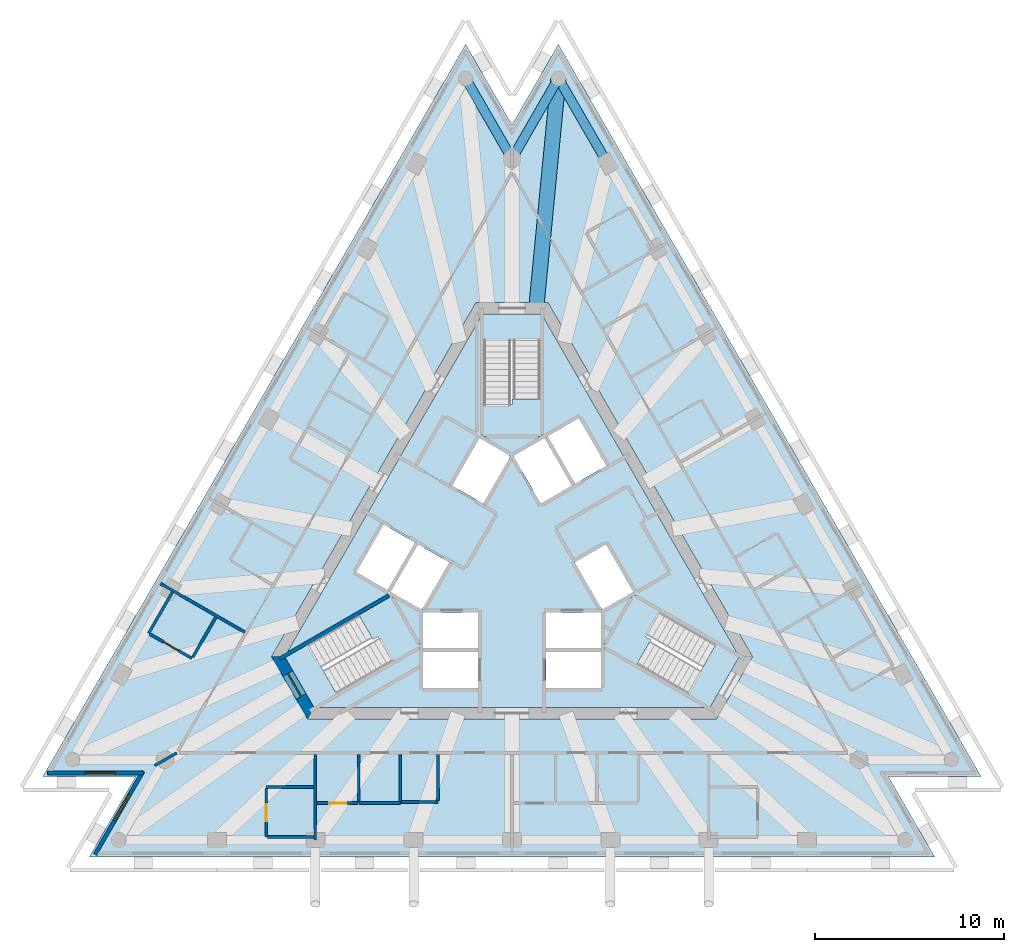
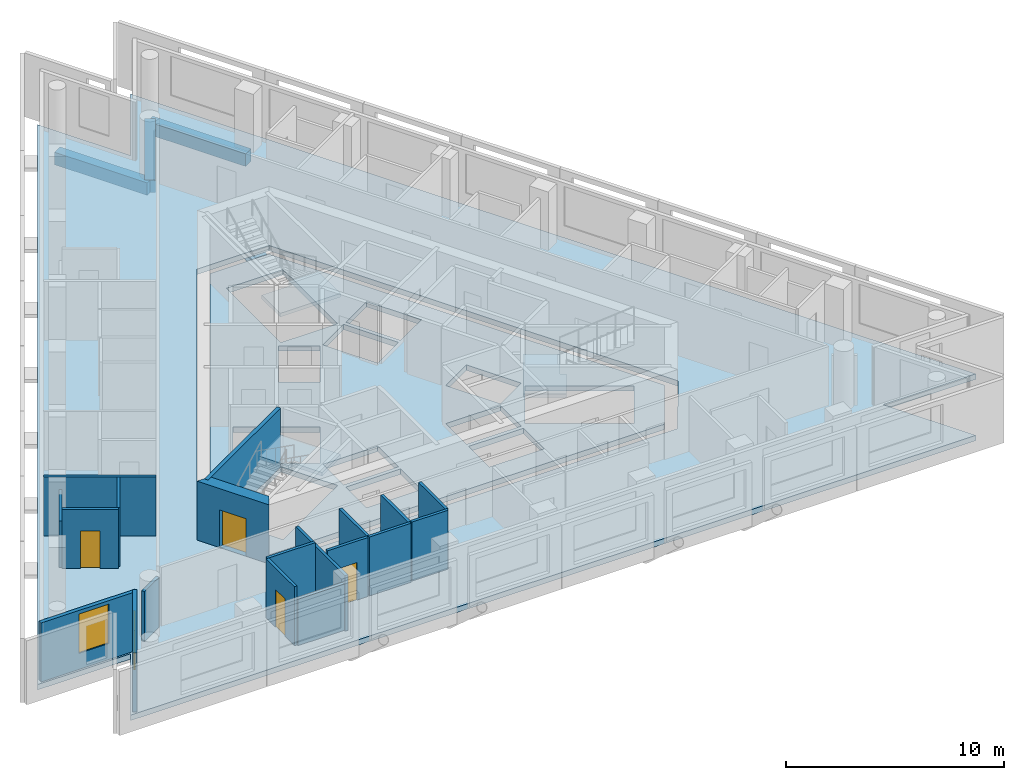
# One storey, part 2 of 10: 19 walls, 5 slabs, 4 beams, 4 doors, 2 windows, 6 openings, 3 elements without a shape of their own.
"""IFC4 building model written with IfcOpenShell, lengths in metres."""

from ifc_helpers import new_model, si_unit, direction, frame, frame_2d, origin, origin_2d, place, context, subcontext, project, spatial, polyline, rectangle, outline, extrude, material, layer, layer_set, layer_usage, material_profile, profile_set, type_object, element, fill, aggregate, save


model = new_model("IFC4")

# Units and contexts
model_context = context("Model", 3, precision=1e-05, world=origin(), true_north=direction((0.0, 1.0)))
body_context = subcontext(model_context, "Body", "Model", "MODEL_VIEW")
ifc_project = project(units=[si_unit("LENGTHUNIT", "METRE"), si_unit("AREAUNIT", "SQUARE_METRE"), si_unit("VOLUMEUNIT", "CUBIC_METRE"), si_unit("PLANEANGLEUNIT", "RADIAN"), si_unit("MASSUNIT", "GRAM", prefix="KILO")], contexts=[model_context])

# Site, building, storey
site_placement = place(None, origin())
site = spatial("IfcSite", under=ifc_project, at=site_placement, CompositionType="ELEMENT")
building_placement = place(site_placement, origin())
building = spatial("IfcBuilding", under=site, at=building_placement, Name="Triada Interchange Tower", CompositionType="ELEMENT")
storey_placement = place(building_placement, frame((0.0, 0.0, 318.699951171875)))
storey = spatial("IfcBuildingStorey", under=building, at=storey_placement, Name="L76", CompositionType="ELEMENT", Elevation=318.699951171875)

# Beams
ifc_material_1 = material(Name="Concrete C50/60", Category="concrete")
ifc_material_profile_1 = material_profile(ifc_material_1, rectangle(XDim=0.800048828125, YDim=0.5, at=origin_2d()), Name="RC 800x500")
ifc_profile_set_1 = profile_set([ifc_material_profile_1], Name="Concrete C50/60")
beam_type_1 = type_object("IfcBeamType", Name="Radial band beam D RC 800x500", PredefinedType="BEAM", material=ifc_profile_set_1)
beam_1_placement = place(storey_placement, frame((2.45703125, 25.469970703125, -0.550048828125), z_axis=(-0.09602744551, -0.995378686586, 0.0), x_axis=(0.995378686586, -0.09602744551, 0.0)))
element("IfcBeam", 1, at=beam_1_placement, inside=storey, type_object=beam_type_1, Name="Radial band beam BD29 L76", PredefinedType="BEAM", context=body_context, shape_type="SweptSolid", body=[
    extrude(rectangle(XDim=0.800048828125, YDim=0.5, at=origin_2d()), origin(), (0.0, 0.0, 1.0), 12.226318359375),
])
ifc_material_profile_2 = material_profile(ifc_material_1, rectangle(XDim=0.5, YDim=0.699951171875, at=origin_2d()), Name="RC 500x700")
ifc_profile_set_2 = profile_set([ifc_material_profile_2], Name="Concrete C50/60")
beam_type_2 = type_object("IfcBeamType", Name="Spandrel beam D RC 500x700", PredefinedType="BEAM", material=ifc_profile_set_2)
beam_2_placement = place(storey_placement, frame((5.06103515625, 20.9599609375, -0.64990234375), z_axis=(-0.500021393879, 0.866013051671, 0.0), x_axis=(-0.866013051671, -0.500021393879, 0.0)))
element("IfcBeam", 2, at=beam_2_placement, inside=storey, type_object=beam_type_2, Name="Spandrel beam ED28 L76", PredefinedType="BEAM", context=body_context, shape_type="SweptSolid", body=[
    extrude(rectangle(XDim=0.5, YDim=0.699951171875, at=origin_2d()), origin(), (0.0, 0.0, 1.0), 5.207763671875),
])
for number, where, z_axis, x_axis, name in (
    (3, (2.45703125, 25.469970703125, -0.64990234375), (-0.499986217557, -0.866033360935, 0.0), (0.866033360935, -0.499986217557, 0.0), "Spandrel beam ED29 L76"),
    (4, (0.0, 21.214111328125, -0.64990234375), (-0.499986217557, 0.866033360935, 0.0), (-0.866033360935, -0.499986217557, 0.0), "Spandrel beam ED30 L76"),
):
    element("IfcBeam", number, at=place(storey_placement, frame(where, z_axis=z_axis, x_axis=x_axis)), inside=storey, type_object=beam_type_2, Name=name, PredefinedType="BEAM", context=body_context, shape_type="SweptSolid", body=[
        extrude(rectangle(XDim=0.5, YDim=0.699951171875, at=origin_2d()), origin(), (0.0, 0.0, 1.0), 4.914306640625),
    ])

# Slabs
ifc_layer_1 = layer(ifc_material_1, 0.300048828125)
ifc_layer_set_1 = layer_set([ifc_layer_1], Name="Floor slab 300")
slab_type_1 = type_object("IfcSlabType", Name="Floor slab 300", PredefinedType="FLOOR", material=ifc_layer_set_1)
slab_1_placement = place(storey_placement, frame((0.0, 0.0, -0.300048828125)))
element("IfcSlab", 5, at=slab_1_placement, inside=storey, type_object=slab_type_1, Name="Floor slab L76", PredefinedType="FLOOR", context=body_context, shape_type="SweptSolid", body=[
    extrude(outline(polyline([(-2.45703125, 27.27001953125), (-24.844970703125, -11.507080078125), (-19.930908203125, -11.507080078125), (-22.387939453125, -15.762939453125), (22.387939453125, -15.762939453125), (19.930908203125, -11.507080078125), (24.844970703125, -11.507080078125), (2.45703125, 27.27001953125), (0.0, 23.013916015625), (-2.45703125, 27.27001953125)]), holes=[polyline([(1.905029296875, 13.60009765625), (-1.905029296875, 13.60009765625), (-12.73095703125, -5.14990234375), (-10.824951171875, -8.449951171875), (10.824951171875, -8.449951171875), (12.73095703125, -5.14990234375), (1.905029296875, 13.60009765625)])]), origin(), (0.0, 0.0, 1.0), 0.300048828125),
])
slab_2_placement = place(storey_placement, frame((0.0, 0.0, -0.300048828125)))
element("IfcSlab", 6, at=slab_2_placement, inside=storey, type_object=slab_type_1, Name="Core floor slab L76 1", PredefinedType="FLOOR", context=body_context, shape_type="SweptSolid", body=[
    extrude(outline(polyline([(12.0380859375, -5.14990234375), (10.47900390625, -7.85009765625), (-10.47900390625, -7.85009765625), (-12.0380859375, -5.14990234375), (-1.55908203125, 13.0), (1.55908203125, 13.0), (12.0380859375, -5.14990234375)]), holes=[polyline([(9.2958984375, -7.09912109375), (10.7958984375, -4.5009765625), (6.466064453125, -2.0009765625), (4.966064453125, -4.59912109375), (9.2958984375, -7.09912109375)]), polyline([(4.969970703125, 0.791015625), (3.324951171875, -0.158935546875), (4.77490234375, -2.669921875), (6.419921875, -1.719970703125), (4.969970703125, 0.791015625)]), polyline([(1.89404296875, 6.52001953125), (3.343994140625, 4.009033203125), (4.989013671875, 4.958984375), (3.5390625, 7.469970703125), (1.89404296875, 6.52001953125)]), polyline([(1.800048828125, -4.89990234375), (1.800048828125, -6.4990234375), (1.800048828125, -6.800048828125), (4.699951171875, -6.800048828125), (4.699951171875, -4.89990234375), (1.800048828125, -4.89990234375)]), polyline([(4.699951171875, -2.800048828125), (1.800048828125, -2.800048828125), (1.800048828125, -4.699951171875), (4.699951171875, -4.699951171875), (4.699951171875, -2.800048828125)]), polyline([(1.52490234375, 2.958984375), (2.594970703125, 3.576904296875), (3.169921875, 3.908935546875), (1.719970703125, 6.419921875), (0.074951171875, 5.469970703125), (1.52490234375, 2.958984375)]), polyline([(-1.5, 11.60009765625), (-1.5, 6.60009765625), (1.5, 6.60009765625), (1.5, 11.60009765625), (-1.5, 11.60009765625)]), polyline([(-1.52490234375, 2.958984375), (-0.074951171875, 5.469970703125), (-1.719970703125, 6.419921875), (-3.169921875, 3.908935546875), (-1.52490234375, 2.958984375)]), polyline([(-1.800048828125, -2.800048828125), (-4.699951171875, -2.800048828125), (-4.699951171875, -4.699951171875), (-1.800048828125, -4.699951171875), (-1.800048828125, -2.800048828125)]), polyline([(-4.699951171875, -6.800048828125), (-1.800048828125, -6.800048828125), (-1.800048828125, -6.4990234375), (-1.800048828125, -4.89990234375), (-4.699951171875, -4.89990234375), (-4.699951171875, -6.800048828125)]), polyline([(-3.427978515625, -0.09912109375), (-4.969970703125, 0.791015625), (-6.419921875, -1.719970703125), (-4.77490234375, -2.669921875), (-3.324951171875, -0.158935546875), (-3.427978515625, -0.09912109375)]), polyline([(-10.7958984375, -4.5009765625), (-9.2958984375, -7.09912109375), (-4.966064453125, -4.59912109375), (-6.466064453125, -2.0009765625), (-10.7958984375, -4.5009765625)]), polyline([(-6.593994140625, -1.6201171875), (-5.14404296875, 0.89111328125), (-6.7890625, 1.841064453125), (-8.239013671875, -0.669921875), (-6.593994140625, -1.6201171875)])]), origin(), (0.0, 0.0, 1.0), 0.300048828125),
])

# Stair, slab
ifc_material_2 = material(Name="Concrete C35/45", Category="concrete")
stair_type = type_object("IfcStairType", Name="HALF TURN STAIR 1400", PredefinedType="HALF_TURN_STAIR", material=ifc_material_2)
stair_1_placement = place(storey_placement, origin())
stair_1 = element("IfcStair", 7, at=stair_1_placement, inside=storey, type_object=stair_type, Name="Exit stair S74-1", PredefinedType="HALF_TURN_STAIR")
ifc_layer_2 = layer(ifc_material_2, 0.199951171875)
ifc_layer_set_2 = layer_set([ifc_layer_2], Name="STAIR LANDING 200")
slab_type_2 = type_object("IfcSlabType", Name="STAIR LANDING 200", PredefinedType="LANDING", material=ifc_layer_set_2)
slab_3_placement = place(storey_placement, frame((0.0, 0.0, 1.521728515625)))
slab_3 = element("IfcSlab", 8, at=slab_3_placement, type_object=slab_type_2, Name="S74-1 landing 1", PredefinedType="LANDING", context=body_context, shape_type="SweptSolid", body=[
    extrude(outline(polyline([(1.60009765625, 6.5), (1.60009765625, 8.5), (0.0, 8.5), (0.0, 8.18994140625), (-1.60009765625, 8.18994140625), (-1.60009765625, 6.5), (1.60009765625, 6.5)])), origin(), (0.0, 0.0, 1.0), 0.199951171875),
])
aggregate(stair_1, [slab_3])

stair_2_placement = place(storey_placement, origin())
stair_2 = element("IfcStair", 9, at=stair_2_placement, inside=storey, type_object=stair_type, Name="Exit stair S74-2", PredefinedType="HALF_TURN_STAIR")
slab_4_placement = place(storey_placement, frame((0.0, 0.0, 1.521728515625)))
slab_4 = element("IfcSlab", 10, at=slab_4_placement, type_object=slab_type_2, Name="S74-2 landing 1", PredefinedType="LANDING", context=body_context, shape_type="SweptSolid", body=[
    extrude(outline(polyline([(-6.428955078125, -1.864013671875), (-8.160888671875, -2.864013671875), (-7.361083984375, -4.25), (-7.093017578125, -4.094970703125), (-6.29296875, -5.48095703125), (-4.8291015625, -4.635986328125), (-6.428955078125, -1.864013671875)])), origin(), (0.0, 0.0, 1.0), 0.199951171875),
])
aggregate(stair_2, [slab_4])

stair_3_placement = place(storey_placement, origin())
stair_3 = element("IfcStair", 11, at=stair_3_placement, inside=storey, type_object=stair_type, Name="Exit stair S74-3", PredefinedType="HALF_TURN_STAIR")
slab_5_placement = place(storey_placement, frame((0.0, 0.0, 1.521728515625)))
slab_5 = element("IfcSlab", 12, at=slab_5_placement, type_object=slab_type_2, Name="S74-3 landing 1", PredefinedType="LANDING", context=body_context, shape_type="SweptSolid", body=[
    extrude(outline(polyline([(4.8291015625, -4.635986328125), (6.56103515625, -5.635986328125), (7.361083984375, -4.25), (7.093017578125, -4.094970703125), (7.89306640625, -2.708984375), (6.428955078125, -1.864013671875), (4.8291015625, -4.635986328125)])), origin(), (0.0, 0.0, 1.0), 0.199951171875),
])
aggregate(stair_3, [slab_5])

# Wall
ifc_material_3 = material(Name="Concrete C30/37", Category="concrete")
ifc_layer_3 = layer(ifc_material_3, 0.199951171875)
ifc_layer_set_3 = layer_set([ifc_layer_3], Name="CORE WALL 200 REI 240")
wall_type_1 = type_object("IfcWallType", Name="CORE WALL 200 REI 240", PredefinedType="SOLIDWALL", material=ifc_layer_set_3)
wall_1_placement = place(storey_placement, frame((-12.301025390625, -5.25390625, 0.0), z_axis=(0.0, 0.0, 1.0), x_axis=(0.866068467981, 0.499925403204, 0.0)))
element("IfcWall", 13, at=wall_1_placement, inside=storey, type_object=wall_type_1, Name="Wall L74 110", PredefinedType="SOLIDWALL", context=body_context, shape_type="SweptSolid", body=[
    extrude(rectangle(XDim=6.66455078125, YDim=0.199951171875, at=frame_2d((3.332275390625, 0.0))), origin(), (0.0, 0.0, 1.0), 3.300048828125),
])

# Wall, opening, door
ifc_material_4 = material(Name="Concrete C40/50", Category="concrete")
ifc_layer_4 = layer(ifc_material_4, 0.60009765625)
ifc_layer_set_4 = layer_set([ifc_layer_4], Name="Core wall D 600")
wall_type_2 = type_object("IfcWallType", Name="Core wall D 600", PredefinedType="SHEAR", material=ifc_layer_set_4)
wall_2_placement = place(storey_placement, frame((-12.384033203125, -5.14990234375, -0.300048828125), z_axis=(0.0, 0.0, 1.0), x_axis=(0.49997462182, -0.866040055388, 0.0)))
wall_2 = element("IfcWall", 14, at=wall_2_placement, inside=storey, type_object=wall_type_2, Name="Core wall WD03 L76", PredefinedType="SHEAR", context=body_context, shape_type="SweptSolid", body=[
    extrude(outline(polyline([(-0.173095703125, -0.301025390625), (1.73193359375, -0.300537109375), (3.636962890625, -0.300048828125), (3.291015625, 0.300048828125), (1.73193359375, 0.300048828125), (0.173095703125, 0.300048828125), (-0.173095703125, -0.301025390625)])), origin(), (0.0, 0.0, 1.0), 3.60009765625),
])
opening_1_placement = place(wall_2_placement, frame((1.031982421875, 0.0, 0.300048828125)))
opening_1 = element("IfcOpeningElement", 15, at=opening_1_placement, cuts=wall_2, Name="Opening D74-47", PredefinedType="OPENING", context=body_context, shape_type="SweptSolid", body=[
    extrude(rectangle(XDim=1.39990234375, YDim=2.10009765625, at=frame_2d((0.699951171875, 1.050048828125))), frame((0.0, 0.31005859375, 0.0), z_axis=(0.0, -1.0, 0.0), x_axis=(1.0, 0.0, 0.0)), (0.0, 0.0, 1.0), 0.62109375),
])
ifc_material_5 = material(Name="Steel S235 door leaf", Category="steel")
door_type_1 = type_object("IfcDoorType", Name="STAIR DOOR 1400 EI2 90-C5S200", OperationType="DOUBLE_DOOR_SINGLE_SWING", PredefinedType="DOOR", material=ifc_material_5)
door_1_placement = place(opening_1_placement, origin())
door_1 = element("IfcDoor", 16, at=door_1_placement, inside=storey, type_object=door_type_1, Name="Door D74-47 L76", OperationType="DOUBLE_DOOR_SINGLE_SWING", OverallHeight=2.10009765625, OverallWidth=1.39990234375, PredefinedType="DOOR", context=body_context, shape_type="SweptSolid", body=[
    extrude(rectangle(XDim=1.39990234375, YDim=2.10009765625, at=frame_2d((0.699951171875, 1.050048828125))), frame((0.0, 0.02490234375, 0.0), z_axis=(0.0, -1.0, 0.0), x_axis=(1.0, 0.0, 0.0)), (0.0, 0.0, 1.0), 0.050048828125),
])
fill(opening_1, door_1)

# Wall, opening, window
ifc_material_6 = material(Name="Cement board")
ifc_layer_5 = layer(ifc_material_6, 0.02001953125, Name="Cement board cladding")
ifc_material_7 = material(Name="Sheathing board")
ifc_layer_6 = layer(ifc_material_7, 0.014892578125, Name="Sheathing board")
ifc_material_8 = material(Name="Mineral wool")
ifc_layer_7 = layer(ifc_material_8, 0.14990234375, Name="Mineral wool between steel studs")
ifc_material_9 = material(Name="Gypsum board")
ifc_layer_8 = layer(ifc_material_9, 0.014892578125, Name="Plasterboard lining")
ifc_layer_set_5 = layer_set([ifc_layer_5, ifc_layer_6, ifc_layer_7, ifc_layer_8], Name="External wall 200")
ifc_layer_usage = layer_usage(ifc_layer_set_5, "AXIS2", "POSITIVE", -0.10009765625)
wall_type_3 = type_object("IfcWallType", Name="External wall 200", PredefinedType="ELEMENTEDWALL", material=ifc_layer_set_5)
wall_3_placement = place(storey_placement, frame((-24.589111328125, -11.306884765625, 0.0), z_axis=(0.0, 0.0, 1.0), x_axis=(1.0, 0.0, 0.0)))
wall_3 = element("IfcWall", 17, at=wall_3_placement, inside=storey, type_object=wall_type_3, material=ifc_layer_usage, Name="External wall L76 SW-1", PredefinedType="ELEMENTEDWALL", context=body_context, shape_type="SweptSolid", body=[
    extrude(rectangle(XDim=5.07421875, YDim=0.199951171875, at=frame_2d((2.537109375, 0.0))), origin(), (0.0, 0.0, 1.0), 3.300048828125),
])
opening_2_placement = place(wall_3_placement, frame((1.989990234375, 0.0, 0.89990234375)))
opening_2 = element("IfcOpeningElement", 18, at=opening_2_placement, cuts=wall_3, Name="Opening WD09", PredefinedType="OPENING", context=body_context, shape_type="SweptSolid", body=[
    extrude(rectangle(XDim=1.60009765625, YDim=2.199951171875, at=frame_2d((0.800048828125, 1.10009765625))), frame((0.0, 0.10986328125, 0.0), z_axis=(0.0, -1.0, 0.0), x_axis=(1.0, 0.0, 0.0)), (0.0, 0.0, 1.0), 0.219970703125),
])
ifc_material_10 = material(Name="Double glazed aluminium window", Category="aluminium")
window_type = type_object("IfcWindowType", Name="Ribbon window D pocket", PartitioningType="SINGLE_PANEL", PredefinedType="WINDOW", material=ifc_material_10)
window_1_placement = place(opening_2_placement, origin())
window_1 = element("IfcWindow", 19, at=window_1_placement, inside=storey, type_object=window_type, Name="Window L76 SW-1 1", OverallHeight=2.199951171875, OverallWidth=1.60009765625, PartitioningType="SINGLE_PANEL", PredefinedType="WINDOW", context=body_context, shape_type="SweptSolid", body=[
    extrude(rectangle(XDim=1.60009765625, YDim=2.199951171875, at=frame_2d((0.800048828125, 1.10009765625))), frame((0.0, 0.030029296875, 0.0), z_axis=(0.0, -1.0, 0.0), x_axis=(1.0, 0.0, 0.0)), (0.0, 0.0, 1.0), 0.06005859375),
])
fill(opening_2, window_1)

wall_4_placement = place(storey_placement, frame((-19.5400390625, -11.22900390625, 0.0), z_axis=(0.0, 0.0, 1.0), x_axis=(-0.499911250765, -0.866076637116, 0.0)))
wall_4 = element("IfcWall", 20, at=wall_4_placement, inside=storey, type_object=wall_type_3, material=ifc_layer_usage, Name="External wall L76 SW-2", PredefinedType="ELEMENTEDWALL", context=body_context, shape_type="SweptSolid", body=[
    extrude(rectangle(XDim=5.07470703125, YDim=0.199951171875, at=frame_2d((2.537353515625, 0.0))), origin(), (0.0, 0.0, 1.0), 3.300048828125),
])
opening_3_placement = place(wall_4_placement, frame((1.389892578125, 0.0, 0.89990234375)))
opening_3 = element("IfcOpeningElement", 21, at=opening_3_placement, cuts=wall_4, Name="Opening WD10", PredefinedType="OPENING", context=body_context, shape_type="SweptSolid", body=[
    extrude(rectangle(XDim=1.60009765625, YDim=2.199951171875, at=frame_2d((0.800048828125, 1.10009765625))), frame((0.0, 0.10986328125, 0.0), z_axis=(0.0, -1.0, 0.0), x_axis=(1.0, 0.0, 0.0)), (0.0, 0.0, 1.0), 0.219970703125),
])
window_2_placement = place(opening_3_placement, origin())
window_2 = element("IfcWindow", 22, at=window_2_placement, inside=storey, type_object=window_type, Name="Window L76 SW-2 1", OverallHeight=2.199951171875, OverallWidth=1.60009765625, PartitioningType="SINGLE_PANEL", PredefinedType="WINDOW", context=body_context, shape_type="SweptSolid", body=[
    extrude(rectangle(XDim=1.60009765625, YDim=2.199951171875, at=frame_2d((0.800048828125, 1.10009765625))), frame((0.0, 0.030029296875, 0.0), z_axis=(0.0, -1.0, 0.0), x_axis=(1.0, 0.0, 0.0)), (0.0, 0.0, 1.0), 0.06005859375),
])
fill(opening_3, window_2)

# Walls
ifc_material_11 = material(Name="Gypsum board partition")
ifc_layer_9 = layer(ifc_material_11, 0.14990234375)
ifc_layer_set_6 = layer_set([ifc_layer_9], Name="PARTITION 150 EI 180")
wall_type_4 = type_object("IfcWallType", Name="PARTITION 150 EI 180", PredefinedType="PARTITIONING", material=ifc_layer_set_6)
wall_5_placement = place(storey_placement, frame((-18.908935546875, -10.9169921875, 0.0), z_axis=(0.0, 0.0, 1.0), x_axis=(0.865847470378, 0.500308063137, 0.0)))
element("IfcWall", 23, at=wall_5_placement, inside=storey, type_object=wall_type_4, Name="Wall L74 1", PredefinedType="PARTITIONING", context=body_context, shape_type="SweptSolid", body=[
    extrude(rectangle(XDim=1.335205078125, YDim=0.14990234375, at=frame_2d((0.66748046875, 0.0))), origin(), (0.0, 0.0, 1.0), 2.800048828125),
])
wall_6_placement = place(storey_placement, frame((-18.615966796875, -1.278076171875, 0.0), z_axis=(0.0, 0.0, 1.0), x_axis=(0.86604134632, -0.499972385701, 0.0)))
element("IfcWall", 24, at=wall_6_placement, inside=storey, type_object=wall_type_4, Name="Wall L74 3", PredefinedType="PARTITIONING", context=body_context, shape_type="SweptSolid", body=[
    extrude(rectangle(XDim=5.157958984375, YDim=0.14990234375, at=frame_2d((2.5791015625, 0.0))), origin(), (0.0, 0.0, 1.0), 3.300048828125),
])
wall_7_placement = place(storey_placement, frame((-10.4140625, -14.85791015625, 0.0), z_axis=(0.0, 0.0, 1.0), x_axis=(0.0, 1.0, 0.0)))
element("IfcWall", 25, at=wall_7_placement, inside=storey, type_object=wall_type_4, Name="Wall L74 12", PredefinedType="PARTITIONING", context=body_context, shape_type="SweptSolid", body=[
    extrude(rectangle(XDim=4.532958984375, YDim=0.14990234375, at=frame_2d((2.2666015625, 0.0))), origin(), (0.0, 0.0, 1.0), 3.10009765625),
])
wall_8_placement = place(storey_placement, frame((-8.114013671875, -12.906005859375, 0.0), z_axis=(0.0, 0.0, 1.0), x_axis=(1.0, 0.0, 0.0)))
element("IfcWall", 26, at=wall_8_placement, inside=storey, type_object=wall_type_4, Name="Wall L74 14", PredefinedType="PARTITIONING", context=body_context, shape_type="SweptSolid", body=[
    extrude(rectangle(XDim=2.199951171875, YDim=0.14990234375, at=frame_2d((1.10009765625, 0.0))), origin(), (0.0, 0.0, 1.0), 3.300048828125),
])
for number, where, z_axis, x_axis, name in (
    (27, (-5.9140625, -12.83203125, 0.0), (0.0, 0.0, 1.0), (0.0, 1.0, 0.0), "Wall L74 16"),
    (28, (-8.114013671875, -12.83203125, 0.0), (0.0, 0.0, 1.0), (0.0, 1.0, 0.0), "Wall L74 17"),
):
    element("IfcWall", number, at=place(storey_placement, frame(where, z_axis=z_axis, x_axis=x_axis)), inside=storey, type_object=wall_type_4, Name=name, PredefinedType="PARTITIONING", context=body_context, shape_type="SweptSolid", body=[
        extrude(rectangle(XDim=2.507080078125, YDim=0.14990234375, at=frame_2d((1.25341796875, 0.0))), origin(), (0.0, 0.0, 1.0), 3.300048828125),
    ])
wall_9_placement = place(storey_placement, frame((-5.839111328125, -12.85009765625, 0.0), z_axis=(0.0, 0.0, 1.0), x_axis=(1.0, 0.0, 0.0)))
element("IfcWall", 29, at=wall_9_placement, inside=storey, type_object=wall_type_4, Name="Wall L74 18", PredefinedType="PARTITIONING", context=body_context, shape_type="SweptSolid", body=[
    extrude(rectangle(XDim=1.925048828125, YDim=0.14990234375, at=frame_2d((0.96240234375, 0.0))), origin(), (0.0, 0.0, 1.0), 3.300048828125),
])
wall_10_placement = place(storey_placement, frame((-3.9140625, -12.77490234375, 0.0), z_axis=(0.0, 0.0, 1.0), x_axis=(0.0, 1.0, 0.0)))
element("IfcWall", 30, at=wall_10_placement, inside=storey, type_object=wall_type_4, Name="Wall L74 19", PredefinedType="PARTITIONING", context=body_context, shape_type="SweptSolid", body=[
    extrude(rectangle(XDim=2.449951171875, YDim=0.14990234375, at=frame_2d((1.22509765625, 0.0))), origin(), (0.0, 0.0, 1.0), 3.300048828125),
])
ifc_layer_10 = layer(ifc_material_11, 0.14990234375)
ifc_layer_set_7 = layer_set([ifc_layer_10], Name="PARTITION 150 EI 90")
wall_type_5 = type_object("IfcWallType", Name="PARTITION 150 EI 90", PredefinedType="PARTITIONING", material=ifc_layer_set_7)
wall_11_placement = place(storey_placement, frame((-19.243896484375, -3.91796875, 0.0), z_axis=(0.0, 0.0, 1.0), x_axis=(0.500079482444, 0.865979509711, 0.0)))
element("IfcWall", 31, at=wall_11_placement, inside=storey, type_object=wall_type_5, Name="Wall L74 31", PredefinedType="PARTITIONING", context=body_context, shape_type="SweptSolid", body=[
    extrude(rectangle(XDim=2.525390625, YDim=0.14990234375, at=frame_2d((1.2626953125, 0.0))), origin(), (0.0, 0.0, 1.0), 2.60009765625),
])

# Wall, opening, door
wall_12_placement = place(storey_placement, frame((-19.178955078125, -3.955078125, 0.0), z_axis=(0.0, 0.0, 1.0), x_axis=(0.865999760466, -0.500044412901, 0.0)))
wall_12 = element("IfcWall", 32, at=wall_12_placement, inside=storey, type_object=wall_type_5, Name="Wall L74 33", PredefinedType="PARTITIONING", context=body_context, shape_type="SweptSolid", body=[
    extrude(rectangle(XDim=2.581787109375, YDim=0.14990234375, at=frame_2d((1.291015625, 0.0))), origin(), (0.0, 0.0, 1.0), 3.300048828125),
])
opening_4_placement = place(wall_12_placement, frame((0.83203125, 0.0, 0.0)))
opening_4 = element("IfcOpeningElement", 33, at=opening_4_placement, cuts=wall_12, Name="Opening D74-44", PredefinedType="OPENING", context=body_context, shape_type="SweptSolid", body=[
    extrude(rectangle(XDim=0.89990234375, YDim=2.10009765625, at=frame_2d((0.449951171875, 1.050048828125))), frame((0.0, 0.0849609375, 0.0), z_axis=(0.0, -1.0, 0.0), x_axis=(1.0, 0.0, 0.0)), (0.0, 0.0, 1.0), 0.169921875),
])
door_type_2 = type_object("IfcDoorType", Name="ROOM DOOR 900 EI2 45-C5S200", OperationType="NOTDEFINED", PredefinedType="DOOR", material=ifc_material_5)
door_2_placement = place(opening_4_placement, origin())
door_2 = element("IfcDoor", 34, at=door_2_placement, inside=storey, type_object=door_type_2, Name="Door D74-44 L76", OperationType="SINGLE_SWING_LEFT", OverallHeight=2.10009765625, OverallWidth=0.89990234375, PredefinedType="DOOR", context=body_context, shape_type="SweptSolid", body=[
    extrude(rectangle(XDim=0.89990234375, YDim=2.10009765625, at=frame_2d((0.449951171875, 1.050048828125))), frame((0.0, 0.02490234375, 0.0), z_axis=(0.0, -1.0, 0.0), x_axis=(1.0, 0.0, 0.0)), (0.0, 0.0, 1.0), 0.050048828125),
])
fill(opening_4, door_2)

# Walls
wall_13_placement = place(storey_placement, frame((-16.905029296875, -5.180908203125, 0.0), z_axis=(0.0, 0.0, 1.0), x_axis=(0.500018594424, 0.866014668023, 0.0)))
element("IfcWall", 35, at=wall_13_placement, inside=storey, type_object=wall_type_5, Name="Wall L74 34", PredefinedType="PARTITIONING", context=body_context, shape_type="SweptSolid", body=[
    extrude(rectangle(XDim=2.4501953125, YDim=0.14990234375, at=frame_2d((1.22509765625, 0.0))), origin(), (0.0, 0.0, 1.0), 3.300048828125),
])
wall_14_placement = place(storey_placement, frame((-13.013916015625, -12.050048828125, 0.0), z_axis=(0.0, 0.0, 1.0), x_axis=(1.0, 0.0, 0.0)))
element("IfcWall", 36, at=wall_14_placement, inside=storey, type_object=wall_type_5, Name="Wall L74 39", PredefinedType="PARTITIONING", context=body_context, shape_type="SweptSolid", body=[
    extrude(rectangle(XDim=2.52490234375, YDim=0.14990234375, at=frame_2d((1.262451171875, 0.0))), origin(), (0.0, 0.0, 1.0), 3.300048828125),
])

# Wall, opening, door
wall_15_placement = place(storey_placement, frame((-13.013916015625, -14.7060546875, 0.0), z_axis=(0.0, 0.0, 1.0), x_axis=(0.0, 1.0, 0.0)))
wall_15 = element("IfcWall", 37, at=wall_15_placement, inside=storey, type_object=wall_type_5, Name="Wall L74 41", PredefinedType="PARTITIONING", context=body_context, shape_type="SweptSolid", body=[
    extrude(rectangle(XDim=2.5810546875, YDim=0.14990234375, at=frame_2d((1.29052734375, 0.0))), origin(), (0.0, 0.0, 1.0), 3.300048828125),
])
opening_5_placement = place(wall_15_placement, frame((0.85009765625, 0.0, 0.0)))
opening_5 = element("IfcOpeningElement", 38, at=opening_5_placement, cuts=wall_15, Name="Opening D74-12", PredefinedType="OPENING", context=body_context, shape_type="SweptSolid", body=[
    extrude(rectangle(XDim=0.89990234375, YDim=2.10009765625, at=frame_2d((0.449951171875, 1.050048828125))), frame((0.0, 0.0849609375, 0.0), z_axis=(0.0, -1.0, 0.0), x_axis=(1.0, 0.0, 0.0)), (0.0, 0.0, 1.0), 0.169921875),
])
door_3_placement = place(opening_5_placement, origin())
door_3 = element("IfcDoor", 39, at=door_3_placement, inside=storey, type_object=door_type_2, Name="Door D74-12 L76", OperationType="SINGLE_SWING_RIGHT", OverallHeight=2.10009765625, OverallWidth=0.89990234375, PredefinedType="DOOR", context=body_context, shape_type="SweptSolid", body=[
    extrude(rectangle(XDim=0.89990234375, YDim=2.10009765625, at=frame_2d((0.449951171875, 1.050048828125))), frame((0.0, 0.02490234375, 0.0), z_axis=(0.0, -1.0, 0.0), x_axis=(1.0, 0.0, 0.0)), (0.0, 0.0, 1.0), 0.050048828125),
])
fill(opening_5, door_3)

# Wall
wall_16_placement = place(storey_placement, frame((-12.93896484375, -14.7060546875, 0.0), z_axis=(0.0, 0.0, 1.0), x_axis=(1.0, 0.0, 0.0)))
element("IfcWall", 40, at=wall_16_placement, inside=storey, type_object=wall_type_5, Name="Wall L74 42", PredefinedType="PARTITIONING", context=body_context, shape_type="SweptSolid", body=[
    extrude(rectangle(XDim=2.449951171875, YDim=0.14990234375, at=frame_2d((1.22509765625, 0.0))), origin(), (0.0, 0.0, 1.0), 2.60009765625),
])

# Wall, opening, door
wall_17_placement = place(storey_placement, frame((-10.339111328125, -12.906005859375, 0.0), z_axis=(0.0, 0.0, 1.0), x_axis=(1.0, 0.0, 0.0)))
wall_17 = element("IfcWall", 41, at=wall_17_placement, inside=storey, type_object=wall_type_5, Name="Wall L74 44", PredefinedType="PARTITIONING", context=body_context, shape_type="SweptSolid", body=[
    extrude(rectangle(XDim=2.152099609375, YDim=0.14990234375, at=frame_2d((1.076171875, 0.0))), origin(), (0.0, 0.0, 1.0), 3.300048828125),
])
opening_6_placement = place(wall_17_placement, frame((0.675048828125, 0.0, 0.0)))
opening_6 = element("IfcOpeningElement", 42, at=opening_6_placement, cuts=wall_17, Name="Opening D74-14", PredefinedType="OPENING", context=body_context, shape_type="SweptSolid", body=[
    extrude(rectangle(XDim=0.89990234375, YDim=2.10009765625, at=frame_2d((0.449951171875, 1.050048828125))), frame((0.0, 0.0849609375, 0.0), z_axis=(0.0, -1.0, 0.0), x_axis=(1.0, 0.0, 0.0)), (0.0, 0.0, 1.0), 0.169921875),
])
door_4_placement = place(opening_6_placement, origin())
door_4 = element("IfcDoor", 43, at=door_4_placement, inside=storey, type_object=door_type_2, Name="Door D74-14 L76", OperationType="SINGLE_SWING_LEFT", OverallHeight=2.10009765625, OverallWidth=0.89990234375, PredefinedType="DOOR", context=body_context, shape_type="SweptSolid", body=[
    extrude(rectangle(XDim=0.89990234375, YDim=2.10009765625, at=frame_2d((0.449951171875, 1.050048828125))), frame((0.0, 0.02490234375, 0.0), z_axis=(0.0, -1.0, 0.0), x_axis=(1.0, 0.0, 0.0)), (0.0, 0.0, 1.0), 0.050048828125),
])
fill(opening_6, door_4)

save(model, "model.ifc")
